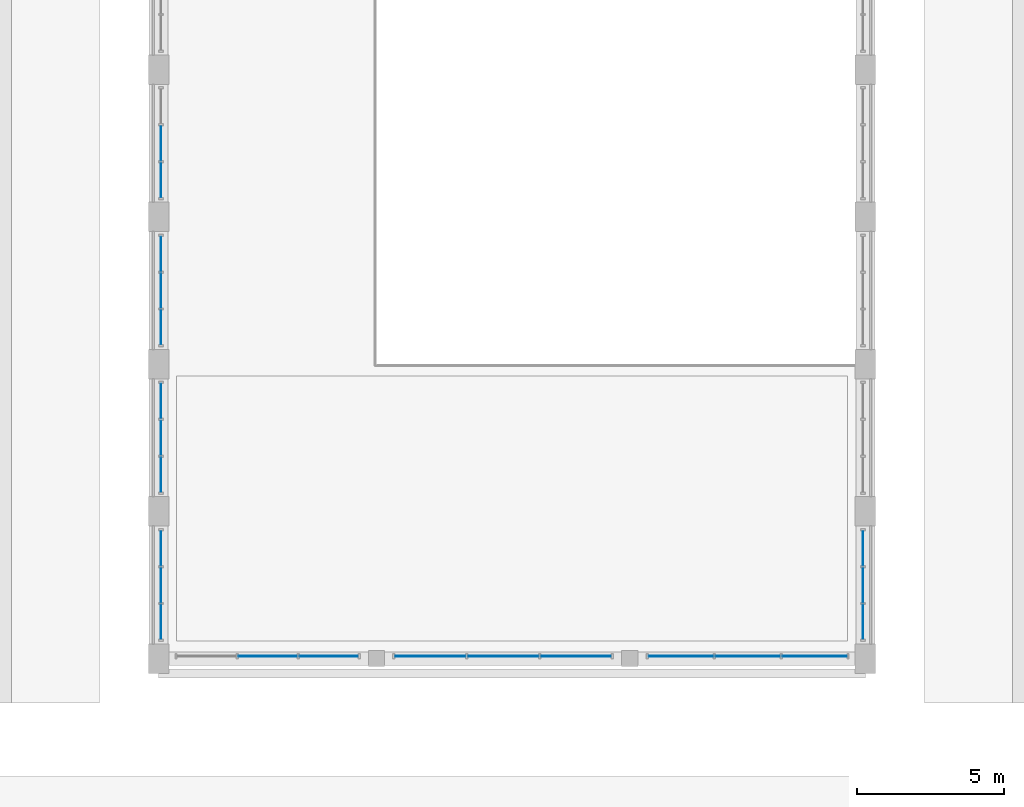
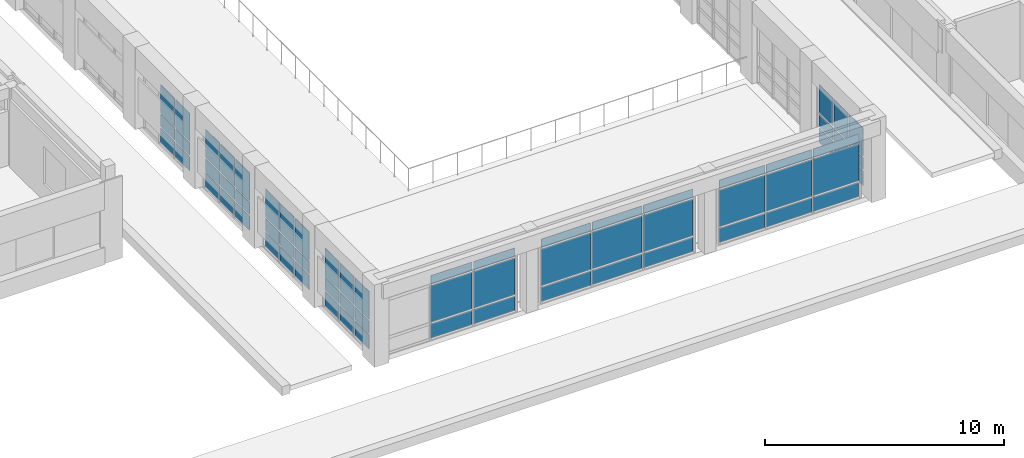
# One storey, part 45 of 97: 66 plates, 8 elements without a shape of their own.
"""IFC4 building model written with IfcOpenShell, lengths in metres."""

from ifc_helpers import new_model, si_unit, direction, frame, origin, origin_2d, place, context, subcontext, project, spatial, rectangle, extrude, material, layer, layer_set, type_object, element, aggregate, save


model = new_model("IFC4")

# Units and contexts
model_context = context("Model", 3, precision=1e-05, world=origin(), true_north=direction((0.0, 1.0)))
body_context = subcontext(model_context, "Body", "Model", "MODEL_VIEW")
ifc_project = project(units=[si_unit("LENGTHUNIT", "METRE"), si_unit("AREAUNIT", "SQUARE_METRE"), si_unit("VOLUMEUNIT", "CUBIC_METRE"), si_unit("PLANEANGLEUNIT", "RADIAN"), si_unit("MASSUNIT", "GRAM", prefix="KILO")], contexts=[model_context])

# Site, building, storey
site_placement = place(None, origin())
site = spatial("IfcSite", under=ifc_project, at=site_placement, CompositionType="ELEMENT")
building_placement = place(site_placement, origin())
building = spatial("IfcBuilding", under=site, at=building_placement, Name="Kiranvali Square Residences", CompositionType="ELEMENT")
storey_placement = place(building_placement, frame((0.0, 0.0, 4.5)))
storey = spatial("IfcBuildingStorey", under=building, at=storey_placement, Name="L01", CompositionType="ELEMENT", Elevation=4.5)

# Curtain wall, plates
ifc_material_1 = material(Name="Anodised bronze aluminium framing", Category="aluminium")
curtain_wall_type = type_object("IfcCurtainWallType", Name="CW-CH-GLZ", PredefinedType="USERDEFINED", material=ifc_material_1)
curtain_wall_1_placement = place(storey_placement, origin())
curtain_wall_1 = element("IfcCurtainWall", 1, at=curtain_wall_1_placement, inside=storey, type_object=curtain_wall_type, Name="Community Hall L01 W clerestory bay 1", ObjectType="CURTAIN WALL", PredefinedType="USERDEFINED")
ifc_material_2 = material(Name="Solar-control low-e double glazing", Category="glass")
ifc_layer_1 = layer(ifc_material_2, 0.028076171875)
ifc_layer_set_1 = layer_set([ifc_layer_1], Name="Solar-control low-e double glazing")
plate_type_1 = type_object("IfcPlateType", Name="PLT-CW-GLZ", PredefinedType="CURTAIN_PANEL", material=ifc_layer_set_1)
plate_1_placement = place(storey_placement, frame((72.080078125, 45.25341796875, 0.889892578125), z_axis=(0.0, 0.0, 1.0), x_axis=(0.0, 1.0, 0.0)))
plate_1 = element("IfcPlate", 2, at=plate_1_placement, type_object=plate_type_1, Name="CW-CH-L01-W1 glazed panel 1.2", PredefinedType="CURTAIN_PANEL", context=body_context, shape_type="SweptSolid", body=[
    extrude(rectangle(XDim=1.166748046875, YDim=0.028076171875, at=origin_2d()), origin(), (0.0, 0.0, 1.0), 0.6201171875),
])
plate_2_placement = place(storey_placement, frame((72.080078125, 45.25341796875, 1.58984375), z_axis=(0.0, 0.0, 1.0), x_axis=(0.0, 1.0, 0.0)))
plate_2 = element("IfcPlate", 3, at=plate_2_placement, type_object=plate_type_1, Name="CW-CH-L01-W1 glazed panel 1.3", PredefinedType="CURTAIN_PANEL", context=body_context, shape_type="SweptSolid", body=[
    extrude(rectangle(XDim=1.166748046875, YDim=0.028076171875, at=origin_2d()), origin(), (0.0, 0.0, 1.0), 1.429931640625),
])
plate_3_placement = place(storey_placement, frame((72.080078125, 46.5, 0.889892578125), z_axis=(0.0, 0.0, 1.0), x_axis=(0.0, 1.0, 0.0)))
plate_3 = element("IfcPlate", 4, at=plate_3_placement, type_object=plate_type_1, Name="CW-CH-L01-W1 glazed panel 2.2", PredefinedType="CURTAIN_PANEL", context=body_context, shape_type="SweptSolid", body=[
    extrude(rectangle(XDim=1.166748046875, YDim=0.028076171875, at=origin_2d()), origin(), (0.0, 0.0, 1.0), 0.6201171875),
])
plate_4_placement = place(storey_placement, frame((72.080078125, 46.5, 1.58984375), z_axis=(0.0, 0.0, 1.0), x_axis=(0.0, 1.0, 0.0)))
plate_4 = element("IfcPlate", 5, at=plate_4_placement, type_object=plate_type_1, Name="CW-CH-L01-W1 glazed panel 2.3", PredefinedType="CURTAIN_PANEL", context=body_context, shape_type="SweptSolid", body=[
    extrude(rectangle(XDim=1.166748046875, YDim=0.028076171875, at=origin_2d()), origin(), (0.0, 0.0, 1.0), 1.429931640625),
])
plate_5_placement = place(storey_placement, frame((72.080078125, 47.74658203125, 0.889892578125), z_axis=(0.0, 0.0, 1.0), x_axis=(0.0, 1.0, 0.0)))
plate_5 = element("IfcPlate", 6, at=plate_5_placement, type_object=plate_type_1, Name="CW-CH-L01-W1 glazed panel 3.2", PredefinedType="CURTAIN_PANEL", context=body_context, shape_type="SweptSolid", body=[
    extrude(rectangle(XDim=1.166748046875, YDim=0.028076171875, at=origin_2d()), origin(), (0.0, 0.0, 1.0), 0.6201171875),
])
plate_6_placement = place(storey_placement, frame((72.080078125, 47.74658203125, 1.58984375), z_axis=(0.0, 0.0, 1.0), x_axis=(0.0, 1.0, 0.0)))
plate_6 = element("IfcPlate", 7, at=plate_6_placement, type_object=plate_type_1, Name="CW-CH-L01-W1 glazed panel 3.3", PredefinedType="CURTAIN_PANEL", context=body_context, shape_type="SweptSolid", body=[
    extrude(rectangle(XDim=1.166748046875, YDim=0.028076171875, at=origin_2d()), origin(), (0.0, 0.0, 1.0), 1.429931640625),
])

curtain_wall_2_placement = place(storey_placement, origin())
curtain_wall_2 = element("IfcCurtainWall", 8, at=curtain_wall_2_placement, inside=storey, type_object=curtain_wall_type, Name="Community Hall L01 E clerestory bay 1", ObjectType="CURTAIN WALL", PredefinedType="USERDEFINED")
plate_7_placement = place(storey_placement, frame((95.919921875, 45.25341796875, 0.889892578125), z_axis=(0.0, 0.0, 1.0), x_axis=(0.0, 1.0, 0.0)))
plate_7 = element("IfcPlate", 9, at=plate_7_placement, type_object=plate_type_1, Name="CW-CH-L01-E1 glazed panel 1.2", PredefinedType="CURTAIN_PANEL", context=body_context, shape_type="SweptSolid", body=[
    extrude(rectangle(XDim=1.166748046875, YDim=0.028076171875, at=origin_2d()), origin(), (0.0, 0.0, 1.0), 0.6201171875),
])
plate_8_placement = place(storey_placement, frame((95.919921875, 45.25341796875, 1.58984375), z_axis=(0.0, 0.0, 1.0), x_axis=(0.0, 1.0, 0.0)))
plate_8 = element("IfcPlate", 10, at=plate_8_placement, type_object=plate_type_1, Name="CW-CH-L01-E1 glazed panel 1.3", PredefinedType="CURTAIN_PANEL", context=body_context, shape_type="SweptSolid", body=[
    extrude(rectangle(XDim=1.166748046875, YDim=0.028076171875, at=origin_2d()), origin(), (0.0, 0.0, 1.0), 1.429931640625),
])
plate_9_placement = place(storey_placement, frame((95.919921875, 46.5, 0.889892578125), z_axis=(0.0, 0.0, 1.0), x_axis=(0.0, 1.0, 0.0)))
plate_9 = element("IfcPlate", 11, at=plate_9_placement, type_object=plate_type_1, Name="CW-CH-L01-E1 glazed panel 2.2", PredefinedType="CURTAIN_PANEL", context=body_context, shape_type="SweptSolid", body=[
    extrude(rectangle(XDim=1.166748046875, YDim=0.028076171875, at=origin_2d()), origin(), (0.0, 0.0, 1.0), 0.6201171875),
])
plate_10_placement = place(storey_placement, frame((95.919921875, 46.5, 1.58984375), z_axis=(0.0, 0.0, 1.0), x_axis=(0.0, 1.0, 0.0)))
plate_10 = element("IfcPlate", 12, at=plate_10_placement, type_object=plate_type_1, Name="CW-CH-L01-E1 glazed panel 2.3", PredefinedType="CURTAIN_PANEL", context=body_context, shape_type="SweptSolid", body=[
    extrude(rectangle(XDim=1.166748046875, YDim=0.028076171875, at=origin_2d()), origin(), (0.0, 0.0, 1.0), 1.429931640625),
])
plate_11_placement = place(storey_placement, frame((95.919921875, 47.74658203125, 0.889892578125), z_axis=(0.0, 0.0, 1.0), x_axis=(0.0, 1.0, 0.0)))
plate_11 = element("IfcPlate", 13, at=plate_11_placement, type_object=plate_type_1, Name="CW-CH-L01-E1 glazed panel 3.2", PredefinedType="CURTAIN_PANEL", context=body_context, shape_type="SweptSolid", body=[
    extrude(rectangle(XDim=1.166748046875, YDim=0.028076171875, at=origin_2d()), origin(), (0.0, 0.0, 1.0), 0.6201171875),
])
plate_12_placement = place(storey_placement, frame((95.919921875, 47.74658203125, 1.58984375), z_axis=(0.0, 0.0, 1.0), x_axis=(0.0, 1.0, 0.0)))
plate_12 = element("IfcPlate", 14, at=plate_12_placement, type_object=plate_type_1, Name="CW-CH-L01-E1 glazed panel 3.3", PredefinedType="CURTAIN_PANEL", context=body_context, shape_type="SweptSolid", body=[
    extrude(rectangle(XDim=1.166748046875, YDim=0.028076171875, at=origin_2d()), origin(), (0.0, 0.0, 1.0), 1.429931640625),
])

curtain_wall_3_placement = place(storey_placement, origin())
curtain_wall_3 = element("IfcCurtainWall", 15, at=curtain_wall_3_placement, inside=storey, type_object=curtain_wall_type, Name="Community Hall L01 W clerestory bay 2", ObjectType="CURTAIN WALL", PredefinedType="USERDEFINED")
plate_13_placement = place(storey_placement, frame((72.080078125, 50.25341796875, 0.889892578125), z_axis=(0.0, 0.0, 1.0), x_axis=(0.0, 1.0, 0.0)))
plate_13 = element("IfcPlate", 16, at=plate_13_placement, type_object=plate_type_1, Name="CW-CH-L01-W2 glazed panel 1.2", PredefinedType="CURTAIN_PANEL", context=body_context, shape_type="SweptSolid", body=[
    extrude(rectangle(XDim=1.166748046875, YDim=0.028076171875, at=origin_2d()), origin(), (0.0, 0.0, 1.0), 0.6201171875),
])
plate_14_placement = place(storey_placement, frame((72.080078125, 50.25341796875, 1.58984375), z_axis=(0.0, 0.0, 1.0), x_axis=(0.0, 1.0, 0.0)))
plate_14 = element("IfcPlate", 17, at=plate_14_placement, type_object=plate_type_1, Name="CW-CH-L01-W2 glazed panel 1.3", PredefinedType="CURTAIN_PANEL", context=body_context, shape_type="SweptSolid", body=[
    extrude(rectangle(XDim=1.166748046875, YDim=0.028076171875, at=origin_2d()), origin(), (0.0, 0.0, 1.0), 1.429931640625),
])
plate_15_placement = place(storey_placement, frame((72.080078125, 51.5, 0.889892578125), z_axis=(0.0, 0.0, 1.0), x_axis=(0.0, 1.0, 0.0)))
plate_15 = element("IfcPlate", 18, at=plate_15_placement, type_object=plate_type_1, Name="CW-CH-L01-W2 glazed panel 2.2", PredefinedType="CURTAIN_PANEL", context=body_context, shape_type="SweptSolid", body=[
    extrude(rectangle(XDim=1.166748046875, YDim=0.028076171875, at=origin_2d()), origin(), (0.0, 0.0, 1.0), 0.6201171875),
])
plate_16_placement = place(storey_placement, frame((72.080078125, 51.5, 1.58984375), z_axis=(0.0, 0.0, 1.0), x_axis=(0.0, 1.0, 0.0)))
plate_16 = element("IfcPlate", 19, at=plate_16_placement, type_object=plate_type_1, Name="CW-CH-L01-W2 glazed panel 2.3", PredefinedType="CURTAIN_PANEL", context=body_context, shape_type="SweptSolid", body=[
    extrude(rectangle(XDim=1.166748046875, YDim=0.028076171875, at=origin_2d()), origin(), (0.0, 0.0, 1.0), 1.429931640625),
])
plate_17_placement = place(storey_placement, frame((72.080078125, 52.74658203125, 0.889892578125), z_axis=(0.0, 0.0, 1.0), x_axis=(0.0, 1.0, 0.0)))
plate_17 = element("IfcPlate", 20, at=plate_17_placement, type_object=plate_type_1, Name="CW-CH-L01-W2 glazed panel 3.2", PredefinedType="CURTAIN_PANEL", context=body_context, shape_type="SweptSolid", body=[
    extrude(rectangle(XDim=1.166748046875, YDim=0.028076171875, at=origin_2d()), origin(), (0.0, 0.0, 1.0), 0.6201171875),
])
plate_18_placement = place(storey_placement, frame((72.080078125, 52.74658203125, 1.58984375), z_axis=(0.0, 0.0, 1.0), x_axis=(0.0, 1.0, 0.0)))
plate_18 = element("IfcPlate", 21, at=plate_18_placement, type_object=plate_type_1, Name="CW-CH-L01-W2 glazed panel 3.3", PredefinedType="CURTAIN_PANEL", context=body_context, shape_type="SweptSolid", body=[
    extrude(rectangle(XDim=1.166748046875, YDim=0.028076171875, at=origin_2d()), origin(), (0.0, 0.0, 1.0), 1.429931640625),
])

curtain_wall_4_placement = place(storey_placement, origin())
curtain_wall_4 = element("IfcCurtainWall", 22, at=curtain_wall_4_placement, inside=storey, type_object=curtain_wall_type, Name="Community Hall L01 W clerestory bay 3", ObjectType="CURTAIN WALL", PredefinedType="USERDEFINED")
plate_19_placement = place(storey_placement, frame((72.080078125, 55.25341796875, 0.889892578125), z_axis=(0.0, 0.0, 1.0), x_axis=(0.0, 1.0, 0.0)))
plate_19 = element("IfcPlate", 23, at=plate_19_placement, type_object=plate_type_1, Name="CW-CH-L01-W3 glazed panel 1.2", PredefinedType="CURTAIN_PANEL", context=body_context, shape_type="SweptSolid", body=[
    extrude(rectangle(XDim=1.166748046875, YDim=0.028076171875, at=origin_2d()), origin(), (0.0, 0.0, 1.0), 0.6201171875),
])
plate_20_placement = place(storey_placement, frame((72.080078125, 55.25341796875, 1.58984375), z_axis=(0.0, 0.0, 1.0), x_axis=(0.0, 1.0, 0.0)))
plate_20 = element("IfcPlate", 24, at=plate_20_placement, type_object=plate_type_1, Name="CW-CH-L01-W3 glazed panel 1.3", PredefinedType="CURTAIN_PANEL", context=body_context, shape_type="SweptSolid", body=[
    extrude(rectangle(XDim=1.166748046875, YDim=0.028076171875, at=origin_2d()), origin(), (0.0, 0.0, 1.0), 1.429931640625),
])
plate_21_placement = place(storey_placement, frame((72.080078125, 56.5, 0.889892578125), z_axis=(0.0, 0.0, 1.0), x_axis=(0.0, 1.0, 0.0)))
plate_21 = element("IfcPlate", 25, at=plate_21_placement, type_object=plate_type_1, Name="CW-CH-L01-W3 glazed panel 2.2", PredefinedType="CURTAIN_PANEL", context=body_context, shape_type="SweptSolid", body=[
    extrude(rectangle(XDim=1.166748046875, YDim=0.028076171875, at=origin_2d()), origin(), (0.0, 0.0, 1.0), 0.6201171875),
])
plate_22_placement = place(storey_placement, frame((72.080078125, 56.5, 1.58984375), z_axis=(0.0, 0.0, 1.0), x_axis=(0.0, 1.0, 0.0)))
plate_22 = element("IfcPlate", 26, at=plate_22_placement, type_object=plate_type_1, Name="CW-CH-L01-W3 glazed panel 2.3", PredefinedType="CURTAIN_PANEL", context=body_context, shape_type="SweptSolid", body=[
    extrude(rectangle(XDim=1.166748046875, YDim=0.028076171875, at=origin_2d()), origin(), (0.0, 0.0, 1.0), 1.429931640625),
])
plate_23_placement = place(storey_placement, frame((72.080078125, 57.74658203125, 0.889892578125), z_axis=(0.0, 0.0, 1.0), x_axis=(0.0, 1.0, 0.0)))
plate_23 = element("IfcPlate", 27, at=plate_23_placement, type_object=plate_type_1, Name="CW-CH-L01-W3 glazed panel 3.2", PredefinedType="CURTAIN_PANEL", context=body_context, shape_type="SweptSolid", body=[
    extrude(rectangle(XDim=1.166748046875, YDim=0.028076171875, at=origin_2d()), origin(), (0.0, 0.0, 1.0), 0.6201171875),
])
plate_24_placement = place(storey_placement, frame((72.080078125, 57.74658203125, 1.58984375), z_axis=(0.0, 0.0, 1.0), x_axis=(0.0, 1.0, 0.0)))
plate_24 = element("IfcPlate", 28, at=plate_24_placement, type_object=plate_type_1, Name="CW-CH-L01-W3 glazed panel 3.3", PredefinedType="CURTAIN_PANEL", context=body_context, shape_type="SweptSolid", body=[
    extrude(rectangle(XDim=1.166748046875, YDim=0.028076171875, at=origin_2d()), origin(), (0.0, 0.0, 1.0), 1.429931640625),
])

curtain_wall_5_placement = place(storey_placement, origin())
curtain_wall_5 = element("IfcCurtainWall", 29, at=curtain_wall_5_placement, inside=storey, type_object=curtain_wall_type, Name="Community Hall L01 W clerestory bay 4", ObjectType="CURTAIN WALL", PredefinedType="USERDEFINED")
plate_25_placement = place(storey_placement, frame((72.080078125, 60.25341796875, 0.889892578125), z_axis=(0.0, 0.0, 1.0), x_axis=(0.0, 1.0, 0.0)))
plate_25 = element("IfcPlate", 30, at=plate_25_placement, type_object=plate_type_1, Name="CW-CH-L01-W4 glazed panel 1.2", PredefinedType="CURTAIN_PANEL", context=body_context, shape_type="SweptSolid", body=[
    extrude(rectangle(XDim=1.166748046875, YDim=0.028076171875, at=origin_2d()), origin(), (0.0, 0.0, 1.0), 0.6201171875),
])
plate_26_placement = place(storey_placement, frame((72.080078125, 60.25341796875, 1.58984375), z_axis=(0.0, 0.0, 1.0), x_axis=(0.0, 1.0, 0.0)))
plate_26 = element("IfcPlate", 31, at=plate_26_placement, type_object=plate_type_1, Name="CW-CH-L01-W4 glazed panel 1.3", PredefinedType="CURTAIN_PANEL", context=body_context, shape_type="SweptSolid", body=[
    extrude(rectangle(XDim=1.166748046875, YDim=0.028076171875, at=origin_2d()), origin(), (0.0, 0.0, 1.0), 1.429931640625),
])
plate_27_placement = place(storey_placement, frame((72.080078125, 61.5, 0.889892578125), z_axis=(0.0, 0.0, 1.0), x_axis=(0.0, 1.0, 0.0)))
plate_27 = element("IfcPlate", 32, at=plate_27_placement, type_object=plate_type_1, Name="CW-CH-L01-W4 glazed panel 2.2", PredefinedType="CURTAIN_PANEL", context=body_context, shape_type="SweptSolid", body=[
    extrude(rectangle(XDim=1.166748046875, YDim=0.028076171875, at=origin_2d()), origin(), (0.0, 0.0, 1.0), 0.6201171875),
])
plate_28_placement = place(storey_placement, frame((72.080078125, 61.5, 1.58984375), z_axis=(0.0, 0.0, 1.0), x_axis=(0.0, 1.0, 0.0)))
plate_28 = element("IfcPlate", 33, at=plate_28_placement, type_object=plate_type_1, Name="CW-CH-L01-W4 glazed panel 2.3", PredefinedType="CURTAIN_PANEL", context=body_context, shape_type="SweptSolid", body=[
    extrude(rectangle(XDim=1.166748046875, YDim=0.028076171875, at=origin_2d()), origin(), (0.0, 0.0, 1.0), 1.429931640625),
])

curtain_wall_6_placement = place(storey_placement, origin())
curtain_wall_6 = element("IfcCurtainWall", 34, at=curtain_wall_6_placement, inside=storey, type_object=curtain_wall_type, Name="Community Hall S gallery bay 1", ObjectType="CURTAIN WALL", PredefinedType="USERDEFINED")
plate_29_placement = place(storey_placement, frame((75.699951171875, 44.080078125, 0.889892578125), z_axis=(0.0, 0.0, 1.0), x_axis=(1.0, 0.0, 0.0)))
plate_29 = element("IfcPlate", 35, at=plate_29_placement, type_object=plate_type_1, Name="CW-CH-GAB-S1-1 glazed panel 2.2", PredefinedType="CURTAIN_PANEL", context=body_context, shape_type="SweptSolid", body=[
    extrude(rectangle(XDim=1.98681640625, YDim=0.028076171875, at=origin_2d()), origin(), (0.0, 0.0, 1.0), 1.8701171875),
])
plate_30_placement = place(storey_placement, frame((75.699951171875, 44.080078125, 2.83984375), z_axis=(0.0, 0.0, 1.0), x_axis=(1.0, 0.0, 0.0)))
plate_30 = element("IfcPlate", 36, at=plate_30_placement, type_object=plate_type_1, Name="CW-CH-GAB-S1-1 glazed panel 2.3", PredefinedType="CURTAIN_PANEL", context=body_context, shape_type="SweptSolid", body=[
    extrude(rectangle(XDim=1.98681640625, YDim=0.028076171875, at=origin_2d()), origin(), (0.0, 0.0, 1.0), 0.429931640625),
])
plate_31_placement = place(storey_placement, frame((77.7666015625, 44.080078125, 0.889892578125), z_axis=(0.0, 0.0, 1.0), x_axis=(1.0, 0.0, 0.0)))
plate_31 = element("IfcPlate", 37, at=plate_31_placement, type_object=plate_type_1, Name="CW-CH-GAB-S1-1 glazed panel 3.2", PredefinedType="CURTAIN_PANEL", context=body_context, shape_type="SweptSolid", body=[
    extrude(rectangle(XDim=1.98681640625, YDim=0.028076171875, at=origin_2d()), origin(), (0.0, 0.0, 1.0), 1.8701171875),
])
plate_32_placement = place(storey_placement, frame((77.7666015625, 44.080078125, 2.83984375), z_axis=(0.0, 0.0, 1.0), x_axis=(1.0, 0.0, 0.0)))
plate_32 = element("IfcPlate", 38, at=plate_32_placement, type_object=plate_type_1, Name="CW-CH-GAB-S1-1 glazed panel 3.3", PredefinedType="CURTAIN_PANEL", context=body_context, shape_type="SweptSolid", body=[
    extrude(rectangle(XDim=1.98681640625, YDim=0.028076171875, at=origin_2d()), origin(), (0.0, 0.0, 1.0), 0.429931640625),
])

curtain_wall_7_placement = place(storey_placement, origin())
curtain_wall_7 = element("IfcCurtainWall", 39, at=curtain_wall_7_placement, inside=storey, type_object=curtain_wall_type, Name="Community Hall S gallery bay 2", ObjectType="CURTAIN WALL", PredefinedType="USERDEFINED")
plate_33_placement = place(storey_placement, frame((81.2333984375, 44.080078125, 0.889892578125), z_axis=(0.0, 0.0, 1.0), x_axis=(1.0, 0.0, 0.0)))
plate_33 = element("IfcPlate", 40, at=plate_33_placement, type_object=plate_type_1, Name="CW-CH-GAB-S1-2 glazed panel 1.2", PredefinedType="CURTAIN_PANEL", context=body_context, shape_type="SweptSolid", body=[
    extrude(rectangle(XDim=2.38671875, YDim=0.028076171875, at=origin_2d()), origin(), (0.0, 0.0, 1.0), 1.8701171875),
])
plate_34_placement = place(storey_placement, frame((81.2333984375, 44.080078125, 2.83984375), z_axis=(0.0, 0.0, 1.0), x_axis=(1.0, 0.0, 0.0)))
plate_34 = element("IfcPlate", 41, at=plate_34_placement, type_object=plate_type_1, Name="CW-CH-GAB-S1-2 glazed panel 1.3", PredefinedType="CURTAIN_PANEL", context=body_context, shape_type="SweptSolid", body=[
    extrude(rectangle(XDim=2.38671875, YDim=0.028076171875, at=origin_2d()), origin(), (0.0, 0.0, 1.0), 0.429931640625),
])
plate_35_placement = place(storey_placement, frame((83.699951171875, 44.080078125, 0.889892578125), z_axis=(0.0, 0.0, 1.0), x_axis=(1.0, 0.0, 0.0)))
plate_35 = element("IfcPlate", 42, at=plate_35_placement, type_object=plate_type_1, Name="CW-CH-GAB-S1-2 glazed panel 2.2", PredefinedType="CURTAIN_PANEL", context=body_context, shape_type="SweptSolid", body=[
    extrude(rectangle(XDim=2.38671875, YDim=0.028076171875, at=origin_2d()), origin(), (0.0, 0.0, 1.0), 1.8701171875),
])
plate_36_placement = place(storey_placement, frame((83.699951171875, 44.080078125, 2.83984375), z_axis=(0.0, 0.0, 1.0), x_axis=(1.0, 0.0, 0.0)))
plate_36 = element("IfcPlate", 43, at=plate_36_placement, type_object=plate_type_1, Name="CW-CH-GAB-S1-2 glazed panel 2.3", PredefinedType="CURTAIN_PANEL", context=body_context, shape_type="SweptSolid", body=[
    extrude(rectangle(XDim=2.38671875, YDim=0.028076171875, at=origin_2d()), origin(), (0.0, 0.0, 1.0), 0.429931640625),
])
plate_37_placement = place(storey_placement, frame((86.166748046875, 44.080078125, 0.889892578125), z_axis=(0.0, 0.0, 1.0), x_axis=(1.0, 0.0, 0.0)))
plate_37 = element("IfcPlate", 44, at=plate_37_placement, type_object=plate_type_1, Name="CW-CH-GAB-S1-2 glazed panel 3.2", PredefinedType="CURTAIN_PANEL", context=body_context, shape_type="SweptSolid", body=[
    extrude(rectangle(XDim=2.38671875, YDim=0.028076171875, at=origin_2d()), origin(), (0.0, 0.0, 1.0), 1.8701171875),
])
plate_38_placement = place(storey_placement, frame((86.166748046875, 44.080078125, 2.83984375), z_axis=(0.0, 0.0, 1.0), x_axis=(1.0, 0.0, 0.0)))
plate_38 = element("IfcPlate", 45, at=plate_38_placement, type_object=plate_type_1, Name="CW-CH-GAB-S1-2 glazed panel 3.3", PredefinedType="CURTAIN_PANEL", context=body_context, shape_type="SweptSolid", body=[
    extrude(rectangle(XDim=2.38671875, YDim=0.028076171875, at=origin_2d()), origin(), (0.0, 0.0, 1.0), 0.429931640625),
])

curtain_wall_8_placement = place(storey_placement, origin())
curtain_wall_8 = element("IfcCurtainWall", 46, at=curtain_wall_8_placement, inside=storey, type_object=curtain_wall_type, Name="Community Hall S gallery bay 3", ObjectType="CURTAIN WALL", PredefinedType="USERDEFINED")
plate_39_placement = place(storey_placement, frame((89.7333984375, 44.080078125, 0.889892578125), z_axis=(0.0, 0.0, 1.0), x_axis=(1.0, 0.0, 0.0)))
plate_39 = element("IfcPlate", 47, at=plate_39_placement, type_object=plate_type_1, Name="CW-CH-GAB-S1-3 glazed panel 1.2", PredefinedType="CURTAIN_PANEL", context=body_context, shape_type="SweptSolid", body=[
    extrude(rectangle(XDim=2.186767578125, YDim=0.028076171875, at=origin_2d()), origin(), (0.0, 0.0, 1.0), 1.8701171875),
])
plate_40_placement = place(storey_placement, frame((89.7333984375, 44.080078125, 2.83984375), z_axis=(0.0, 0.0, 1.0), x_axis=(1.0, 0.0, 0.0)))
plate_40 = element("IfcPlate", 48, at=plate_40_placement, type_object=plate_type_1, Name="CW-CH-GAB-S1-3 glazed panel 1.3", PredefinedType="CURTAIN_PANEL", context=body_context, shape_type="SweptSolid", body=[
    extrude(rectangle(XDim=2.186767578125, YDim=0.028076171875, at=origin_2d()), origin(), (0.0, 0.0, 1.0), 0.429931640625),
])
plate_41_placement = place(storey_placement, frame((92.0, 44.080078125, 0.889892578125), z_axis=(0.0, 0.0, 1.0), x_axis=(1.0, 0.0, 0.0)))
plate_41 = element("IfcPlate", 49, at=plate_41_placement, type_object=plate_type_1, Name="CW-CH-GAB-S1-3 glazed panel 2.2", PredefinedType="CURTAIN_PANEL", context=body_context, shape_type="SweptSolid", body=[
    extrude(rectangle(XDim=2.186767578125, YDim=0.028076171875, at=origin_2d()), origin(), (0.0, 0.0, 1.0), 1.8701171875),
])
plate_42_placement = place(storey_placement, frame((92.0, 44.080078125, 2.83984375), z_axis=(0.0, 0.0, 1.0), x_axis=(1.0, 0.0, 0.0)))
plate_42 = element("IfcPlate", 50, at=plate_42_placement, type_object=plate_type_1, Name="CW-CH-GAB-S1-3 glazed panel 2.3", PredefinedType="CURTAIN_PANEL", context=body_context, shape_type="SweptSolid", body=[
    extrude(rectangle(XDim=2.186767578125, YDim=0.028076171875, at=origin_2d()), origin(), (0.0, 0.0, 1.0), 0.429931640625),
])
plate_43_placement = place(storey_placement, frame((94.2666015625, 44.080078125, 0.889892578125), z_axis=(0.0, 0.0, 1.0), x_axis=(1.0, 0.0, 0.0)))
plate_43 = element("IfcPlate", 51, at=plate_43_placement, type_object=plate_type_1, Name="CW-CH-GAB-S1-3 glazed panel 3.2", PredefinedType="CURTAIN_PANEL", context=body_context, shape_type="SweptSolid", body=[
    extrude(rectangle(XDim=2.186767578125, YDim=0.028076171875, at=origin_2d()), origin(), (0.0, 0.0, 1.0), 1.8701171875),
])
plate_44_placement = place(storey_placement, frame((94.2666015625, 44.080078125, 2.83984375), z_axis=(0.0, 0.0, 1.0), x_axis=(1.0, 0.0, 0.0)))
plate_44 = element("IfcPlate", 52, at=plate_44_placement, type_object=plate_type_1, Name="CW-CH-GAB-S1-3 glazed panel 3.3", PredefinedType="CURTAIN_PANEL", context=body_context, shape_type="SweptSolid", body=[
    extrude(rectangle(XDim=2.186767578125, YDim=0.028076171875, at=origin_2d()), origin(), (0.0, 0.0, 1.0), 0.429931640625),
])

# Plate
ifc_material_3 = material(Name="Honed Porbandar limestone ashlar facade cladding", Category="masonry")
ifc_layer_2 = layer(ifc_material_3, 0.02392578125)
ifc_layer_set_2 = layer_set([ifc_layer_2], Name="Honed Porbandar limestone ashlar facade cladding")
plate_type_2 = type_object("IfcPlateType", Name="PLT-CW-SPN", PredefinedType="SHEET", material=ifc_layer_set_2)
plate_45_placement = place(storey_placement, frame((72.080078125, 45.25341796875, 0.080078125), z_axis=(0.0, 0.0, 1.0), x_axis=(0.0, 1.0, 0.0)))
plate_45 = element("IfcPlate", 53, at=plate_45_placement, type_object=plate_type_2, Name="CW-CH-L01-W1 spandrel panel 1.1", PredefinedType="SHEET", context=body_context, shape_type="SweptSolid", body=[
    extrude(rectangle(XDim=1.166748046875, YDim=0.02392578125, at=origin_2d()), origin(), (0.0, 0.0, 1.0), 0.72998046875),
])

plate_46_placement = place(storey_placement, frame((72.080078125, 46.5, 0.080078125), z_axis=(0.0, 0.0, 1.0), x_axis=(0.0, 1.0, 0.0)))
plate_46 = element("IfcPlate", 54, at=plate_46_placement, type_object=plate_type_2, Name="CW-CH-L01-W1 spandrel panel 2.1", PredefinedType="SHEET", context=body_context, shape_type="SweptSolid", body=[
    extrude(rectangle(XDim=1.166748046875, YDim=0.02392578125, at=origin_2d()), origin(), (0.0, 0.0, 1.0), 0.72998046875),
])

plate_47_placement = place(storey_placement, frame((72.080078125, 47.74658203125, 0.080078125), z_axis=(0.0, 0.0, 1.0), x_axis=(0.0, 1.0, 0.0)))
plate_47 = element("IfcPlate", 55, at=plate_47_placement, type_object=plate_type_2, Name="CW-CH-L01-W1 spandrel panel 3.1", PredefinedType="SHEET", context=body_context, shape_type="SweptSolid", body=[
    extrude(rectangle(XDim=1.166748046875, YDim=0.02392578125, at=origin_2d()), origin(), (0.0, 0.0, 1.0), 0.72998046875),
])

aggregate(curtain_wall_1, [plate_45, plate_1, plate_2, plate_46, plate_3, plate_4, plate_47, plate_5, plate_6])

plate_48_placement = place(storey_placement, frame((95.919921875, 45.25341796875, 0.080078125), z_axis=(0.0, 0.0, 1.0), x_axis=(0.0, 1.0, 0.0)))
plate_48 = element("IfcPlate", 56, at=plate_48_placement, type_object=plate_type_2, Name="CW-CH-L01-E1 spandrel panel 1.1", PredefinedType="SHEET", context=body_context, shape_type="SweptSolid", body=[
    extrude(rectangle(XDim=1.166748046875, YDim=0.02392578125, at=origin_2d()), origin(), (0.0, 0.0, 1.0), 0.72998046875),
])

plate_49_placement = place(storey_placement, frame((95.919921875, 46.5, 0.080078125), z_axis=(0.0, 0.0, 1.0), x_axis=(0.0, 1.0, 0.0)))
plate_49 = element("IfcPlate", 57, at=plate_49_placement, type_object=plate_type_2, Name="CW-CH-L01-E1 spandrel panel 2.1", PredefinedType="SHEET", context=body_context, shape_type="SweptSolid", body=[
    extrude(rectangle(XDim=1.166748046875, YDim=0.02392578125, at=origin_2d()), origin(), (0.0, 0.0, 1.0), 0.72998046875),
])

plate_50_placement = place(storey_placement, frame((95.919921875, 47.74658203125, 0.080078125), z_axis=(0.0, 0.0, 1.0), x_axis=(0.0, 1.0, 0.0)))
plate_50 = element("IfcPlate", 58, at=plate_50_placement, type_object=plate_type_2, Name="CW-CH-L01-E1 spandrel panel 3.1", PredefinedType="SHEET", context=body_context, shape_type="SweptSolid", body=[
    extrude(rectangle(XDim=1.166748046875, YDim=0.02392578125, at=origin_2d()), origin(), (0.0, 0.0, 1.0), 0.72998046875),
])

aggregate(curtain_wall_2, [plate_48, plate_7, plate_8, plate_49, plate_9, plate_10, plate_50, plate_11, plate_12])

plate_51_placement = place(storey_placement, frame((72.080078125, 50.25341796875, 0.080078125), z_axis=(0.0, 0.0, 1.0), x_axis=(0.0, 1.0, 0.0)))
plate_51 = element("IfcPlate", 59, at=plate_51_placement, type_object=plate_type_2, Name="CW-CH-L01-W2 spandrel panel 1.1", PredefinedType="SHEET", context=body_context, shape_type="SweptSolid", body=[
    extrude(rectangle(XDim=1.166748046875, YDim=0.02392578125, at=origin_2d()), origin(), (0.0, 0.0, 1.0), 0.72998046875),
])

plate_52_placement = place(storey_placement, frame((72.080078125, 51.5, 0.080078125), z_axis=(0.0, 0.0, 1.0), x_axis=(0.0, 1.0, 0.0)))
plate_52 = element("IfcPlate", 60, at=plate_52_placement, type_object=plate_type_2, Name="CW-CH-L01-W2 spandrel panel 2.1", PredefinedType="SHEET", context=body_context, shape_type="SweptSolid", body=[
    extrude(rectangle(XDim=1.166748046875, YDim=0.02392578125, at=origin_2d()), origin(), (0.0, 0.0, 1.0), 0.72998046875),
])

plate_53_placement = place(storey_placement, frame((72.080078125, 52.74658203125, 0.080078125), z_axis=(0.0, 0.0, 1.0), x_axis=(0.0, 1.0, 0.0)))
plate_53 = element("IfcPlate", 61, at=plate_53_placement, type_object=plate_type_2, Name="CW-CH-L01-W2 spandrel panel 3.1", PredefinedType="SHEET", context=body_context, shape_type="SweptSolid", body=[
    extrude(rectangle(XDim=1.166748046875, YDim=0.02392578125, at=origin_2d()), origin(), (0.0, 0.0, 1.0), 0.72998046875),
])

aggregate(curtain_wall_3, [plate_51, plate_13, plate_14, plate_52, plate_15, plate_16, plate_53, plate_17, plate_18])

plate_54_placement = place(storey_placement, frame((72.080078125, 55.25341796875, 0.080078125), z_axis=(0.0, 0.0, 1.0), x_axis=(0.0, 1.0, 0.0)))
plate_54 = element("IfcPlate", 62, at=plate_54_placement, type_object=plate_type_2, Name="CW-CH-L01-W3 spandrel panel 1.1", PredefinedType="SHEET", context=body_context, shape_type="SweptSolid", body=[
    extrude(rectangle(XDim=1.166748046875, YDim=0.02392578125, at=origin_2d()), origin(), (0.0, 0.0, 1.0), 0.72998046875),
])

plate_55_placement = place(storey_placement, frame((72.080078125, 56.5, 0.080078125), z_axis=(0.0, 0.0, 1.0), x_axis=(0.0, 1.0, 0.0)))
plate_55 = element("IfcPlate", 63, at=plate_55_placement, type_object=plate_type_2, Name="CW-CH-L01-W3 spandrel panel 2.1", PredefinedType="SHEET", context=body_context, shape_type="SweptSolid", body=[
    extrude(rectangle(XDim=1.166748046875, YDim=0.02392578125, at=origin_2d()), origin(), (0.0, 0.0, 1.0), 0.72998046875),
])

plate_56_placement = place(storey_placement, frame((72.080078125, 57.74658203125, 0.080078125), z_axis=(0.0, 0.0, 1.0), x_axis=(0.0, 1.0, 0.0)))
plate_56 = element("IfcPlate", 64, at=plate_56_placement, type_object=plate_type_2, Name="CW-CH-L01-W3 spandrel panel 3.1", PredefinedType="SHEET", context=body_context, shape_type="SweptSolid", body=[
    extrude(rectangle(XDim=1.166748046875, YDim=0.02392578125, at=origin_2d()), origin(), (0.0, 0.0, 1.0), 0.72998046875),
])

aggregate(curtain_wall_4, [plate_54, plate_19, plate_20, plate_55, plate_21, plate_22, plate_56, plate_23, plate_24])

plate_57_placement = place(storey_placement, frame((72.080078125, 60.25341796875, 0.080078125), z_axis=(0.0, 0.0, 1.0), x_axis=(0.0, 1.0, 0.0)))
plate_57 = element("IfcPlate", 65, at=plate_57_placement, type_object=plate_type_2, Name="CW-CH-L01-W4 spandrel panel 1.1", PredefinedType="SHEET", context=body_context, shape_type="SweptSolid", body=[
    extrude(rectangle(XDim=1.166748046875, YDim=0.02392578125, at=origin_2d()), origin(), (0.0, 0.0, 1.0), 0.72998046875),
])

plate_58_placement = place(storey_placement, frame((72.080078125, 61.5, 0.080078125), z_axis=(0.0, 0.0, 1.0), x_axis=(0.0, 1.0, 0.0)))
plate_58 = element("IfcPlate", 66, at=plate_58_placement, type_object=plate_type_2, Name="CW-CH-L01-W4 spandrel panel 2.1", PredefinedType="SHEET", context=body_context, shape_type="SweptSolid", body=[
    extrude(rectangle(XDim=1.166748046875, YDim=0.02392578125, at=origin_2d()), origin(), (0.0, 0.0, 1.0), 0.72998046875),
])

aggregate(curtain_wall_5, [plate_57, plate_25, plate_26, plate_58, plate_27, plate_28])

plate_59_placement = place(storey_placement, frame((75.699951171875, 44.080078125, 0.080078125), z_axis=(0.0, 0.0, 1.0), x_axis=(1.0, 0.0, 0.0)))
plate_59 = element("IfcPlate", 67, at=plate_59_placement, type_object=plate_type_2, Name="CW-CH-GAB-S1-1 spandrel panel 2.1", PredefinedType="SHEET", context=body_context, shape_type="SweptSolid", body=[
    extrude(rectangle(XDim=1.98681640625, YDim=0.02392578125, at=origin_2d()), origin(), (0.0, 0.0, 1.0), 0.72998046875),
])

plate_60_placement = place(storey_placement, frame((77.7666015625, 44.080078125, 0.080078125), z_axis=(0.0, 0.0, 1.0), x_axis=(1.0, 0.0, 0.0)))
plate_60 = element("IfcPlate", 68, at=plate_60_placement, type_object=plate_type_2, Name="CW-CH-GAB-S1-1 spandrel panel 3.1", PredefinedType="SHEET", context=body_context, shape_type="SweptSolid", body=[
    extrude(rectangle(XDim=1.98681640625, YDim=0.02392578125, at=origin_2d()), origin(), (0.0, 0.0, 1.0), 0.72998046875),
])

aggregate(curtain_wall_6, [plate_59, plate_29, plate_30, plate_60, plate_31, plate_32])

plate_61_placement = place(storey_placement, frame((81.2333984375, 44.080078125, 0.080078125), z_axis=(0.0, 0.0, 1.0), x_axis=(1.0, 0.0, 0.0)))
plate_61 = element("IfcPlate", 69, at=plate_61_placement, type_object=plate_type_2, Name="CW-CH-GAB-S1-2 spandrel panel 1.1", PredefinedType="SHEET", context=body_context, shape_type="SweptSolid", body=[
    extrude(rectangle(XDim=2.38671875, YDim=0.02392578125, at=origin_2d()), origin(), (0.0, 0.0, 1.0), 0.72998046875),
])

plate_62_placement = place(storey_placement, frame((83.699951171875, 44.080078125, 0.080078125), z_axis=(0.0, 0.0, 1.0), x_axis=(1.0, 0.0, 0.0)))
plate_62 = element("IfcPlate", 70, at=plate_62_placement, type_object=plate_type_2, Name="CW-CH-GAB-S1-2 spandrel panel 2.1", PredefinedType="SHEET", context=body_context, shape_type="SweptSolid", body=[
    extrude(rectangle(XDim=2.38671875, YDim=0.02392578125, at=origin_2d()), origin(), (0.0, 0.0, 1.0), 0.72998046875),
])

plate_63_placement = place(storey_placement, frame((86.166748046875, 44.080078125, 0.080078125), z_axis=(0.0, 0.0, 1.0), x_axis=(1.0, 0.0, 0.0)))
plate_63 = element("IfcPlate", 71, at=plate_63_placement, type_object=plate_type_2, Name="CW-CH-GAB-S1-2 spandrel panel 3.1", PredefinedType="SHEET", context=body_context, shape_type="SweptSolid", body=[
    extrude(rectangle(XDim=2.38671875, YDim=0.02392578125, at=origin_2d()), origin(), (0.0, 0.0, 1.0), 0.72998046875),
])

aggregate(curtain_wall_7, [plate_61, plate_33, plate_34, plate_62, plate_35, plate_36, plate_63, plate_37, plate_38])

plate_64_placement = place(storey_placement, frame((89.7333984375, 44.080078125, 0.080078125), z_axis=(0.0, 0.0, 1.0), x_axis=(1.0, 0.0, 0.0)))
plate_64 = element("IfcPlate", 72, at=plate_64_placement, type_object=plate_type_2, Name="CW-CH-GAB-S1-3 spandrel panel 1.1", PredefinedType="SHEET", context=body_context, shape_type="SweptSolid", body=[
    extrude(rectangle(XDim=2.186767578125, YDim=0.02392578125, at=origin_2d()), origin(), (0.0, 0.0, 1.0), 0.72998046875),
])

plate_65_placement = place(storey_placement, frame((92.0, 44.080078125, 0.080078125), z_axis=(0.0, 0.0, 1.0), x_axis=(1.0, 0.0, 0.0)))
plate_65 = element("IfcPlate", 73, at=plate_65_placement, type_object=plate_type_2, Name="CW-CH-GAB-S1-3 spandrel panel 2.1", PredefinedType="SHEET", context=body_context, shape_type="SweptSolid", body=[
    extrude(rectangle(XDim=2.186767578125, YDim=0.02392578125, at=origin_2d()), origin(), (0.0, 0.0, 1.0), 0.72998046875),
])

plate_66_placement = place(storey_placement, frame((94.2666015625, 44.080078125, 0.080078125), z_axis=(0.0, 0.0, 1.0), x_axis=(1.0, 0.0, 0.0)))
plate_66 = element("IfcPlate", 74, at=plate_66_placement, type_object=plate_type_2, Name="CW-CH-GAB-S1-3 spandrel panel 3.1", PredefinedType="SHEET", context=body_context, shape_type="SweptSolid", body=[
    extrude(rectangle(XDim=2.186767578125, YDim=0.02392578125, at=origin_2d()), origin(), (0.0, 0.0, 1.0), 0.72998046875),
])

aggregate(curtain_wall_8, [plate_64, plate_39, plate_40, plate_65, plate_41, plate_42, plate_66, plate_43, plate_44])

save(model, "model.ifc")
